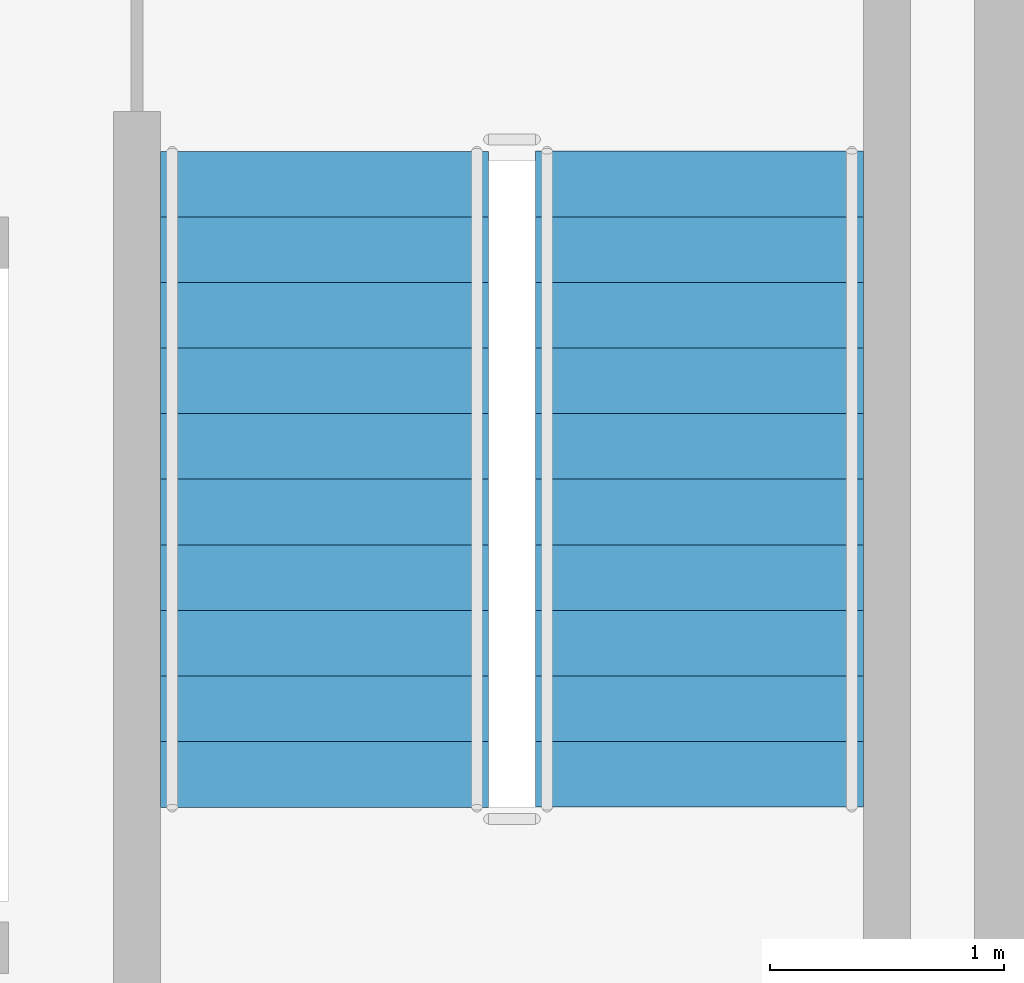
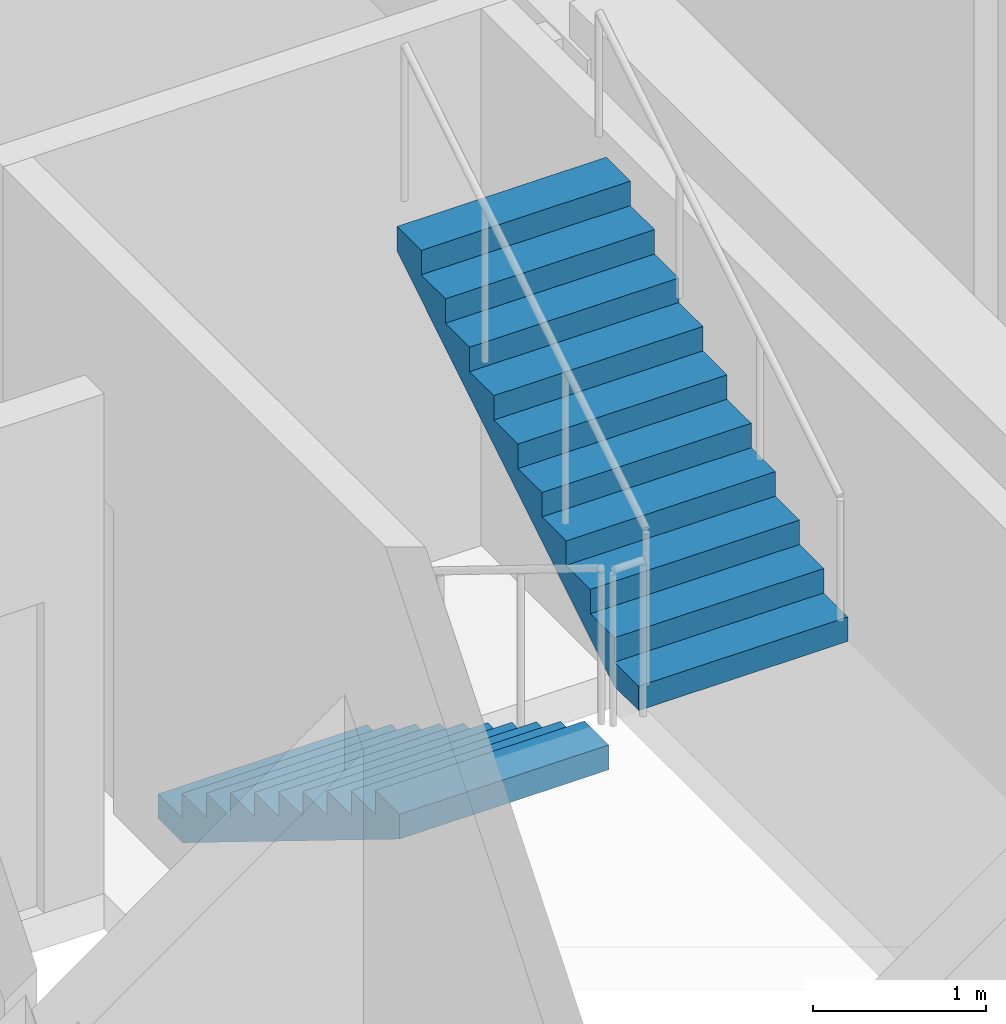
# One storey, part 25 of 26: 2 stair flights, 1 element without a shape of its own.
"""IFC4 building model written with IfcOpenShell, lengths in metres."""

from ifc_helpers import new_model, si_unit, direction, frame, origin, place, context, subcontext, project, spatial, polyline, outline, extrude, source, transform, mapped, material, type_object, element, aggregate, save


model = new_model("IFC4")

# Units and contexts
model_context = context("Model", 3, precision=1e-05, world=origin(), true_north=direction((0.0, 1.0)))
body_context = subcontext(model_context, "Body", "Model", "MODEL_VIEW")
ifc_project = project(units=[si_unit("LENGTHUNIT", "METRE"), si_unit("AREAUNIT", "SQUARE_METRE"), si_unit("VOLUMEUNIT", "CUBIC_METRE"), si_unit("PLANEANGLEUNIT", "RADIAN"), si_unit("MASSUNIT", "GRAM", prefix="KILO")], contexts=[model_context])

# Site, building, storey
site_placement = place(None, origin())
site = spatial("IfcSite", under=ifc_project, at=site_placement, CompositionType="ELEMENT")
building_placement = place(site_placement, origin())
building = spatial("IfcBuilding", under=site, at=building_placement, Name="Nefas-Gora Pilgrimage Tower", CompositionType="ELEMENT")
storey_placement = place(building_placement, frame((0.0, 0.0, 94.60009765625)))
storey = spatial("IfcBuildingStorey", under=building, at=storey_placement, Name="L22", CompositionType="ELEMENT", Elevation=94.60009765625)

# Stair, stair flights
ifc_material = material(Name="Concrete C45/55", Category="concrete")
stair_type = type_object("IfcStairType", Name="STR-1400-R1727", PredefinedType="HALF_TURN_STAIR", material=ifc_material)
stair_placement = place(storey_placement, origin())
stair = element("IfcStair", 1, at=stair_placement, inside=storey, type_object=stair_type, Name="L22 Pressurised Tower Exit Stair ST-02", PredefinedType="HALF_TURN_STAIR")
stair_flight_type = type_object("IfcStairFlightType", Name="STF-1400-R1727", PredefinedType="STRAIGHT", material=ifc_material)
shared_shape = source(origin(), body_context, "Body", "SweptSolid", [
    extrude(outline(polyline([(0.0, 0.0), (0.0, 0.172607421875), (0.280029296875, 0.172607421875), (0.280029296875, 0.345458984375), (0.56005859375, 0.345458984375), (0.56005859375, 0.51806640625), (0.840087890625, 0.51806640625), (0.840087890625, 0.69091796875), (1.1201171875, 0.69091796875), (1.1201171875, 0.863525390625), (1.39990234375, 0.863525390625), (1.39990234375, 1.036376953125), (1.679931640625, 1.036376953125), (1.679931640625, 1.208984375), (1.9599609375, 1.208984375), (1.9599609375, 1.3818359375), (2.239990234375, 1.3818359375), (2.239990234375, 1.554443359375), (2.52001953125, 1.554443359375), (2.52001953125, 1.727294921875), (2.800048828125, 1.727294921875), (2.800048828125, 1.89990234375), (2.800048828125, 1.551025390625), (0.285400390625, 0.0), (0.0, 0.0)])), frame((0.0, 0.699951171875, 0.0), z_axis=(0.0, -1.0, 0.0), x_axis=(1.0, 0.0, 0.0)), (0.0, 0.0, 1.0), 1.39990234375),
])
stair_flight_1_placement = place(storey_placement, frame((8.199951171875, -2.60009765625, 0.0), z_axis=(0.0, 0.0, 1.0), x_axis=(0.0, -1.0, 0.0)))
stair_flight_1 = element("IfcStairFlight", 2, at=stair_flight_1_placement, type_object=stair_flight_type, Name="ST-02 flight 1", NumberOfRisers=11, NumberOfTreads=10, PredefinedType="STRAIGHT", RiserHeight=0.172727273, TreadLength=0.28, context=body_context, shape_type="MappedRepresentation", body=[
    mapped(shared_shape, transform((0.0, 0.0, 0.0), x_axis=(1.0, 0.0, 0.0), y_axis=(0.0, 1.0, 0.0), z_axis=(0.0, 0.0, 1.0), scale=1.0)),
])
stair_flight_2_placement = place(storey_placement, frame((9.800048828125, -5.39990234375, 1.89990234375), z_axis=(0.0, 0.0, 1.0), x_axis=(0.0, 1.0, 0.0)))
stair_flight_2 = element("IfcStairFlight", 3, at=stair_flight_2_placement, type_object=stair_flight_type, Name="ST-02 flight 2", NumberOfRisers=11, NumberOfTreads=10, PredefinedType="STRAIGHT", RiserHeight=0.172727273, TreadLength=0.28, context=body_context, shape_type="MappedRepresentation", body=[
    mapped(shared_shape, transform((0.0, 0.0, 0.0), x_axis=(1.0, 0.0, 0.0), y_axis=(0.0, 1.0, 0.0), z_axis=(0.0, 0.0, 1.0), scale=1.0)),
])
aggregate(stair, [stair_flight_1, stair_flight_2])

save(model, "model.ifc")
